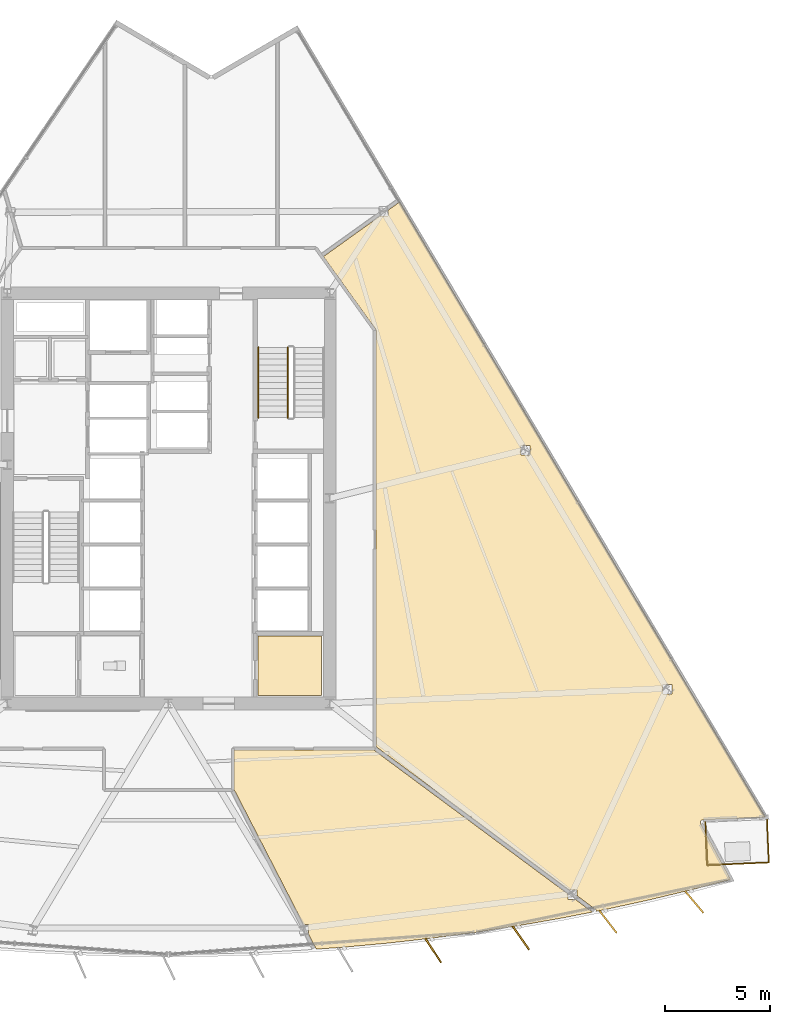
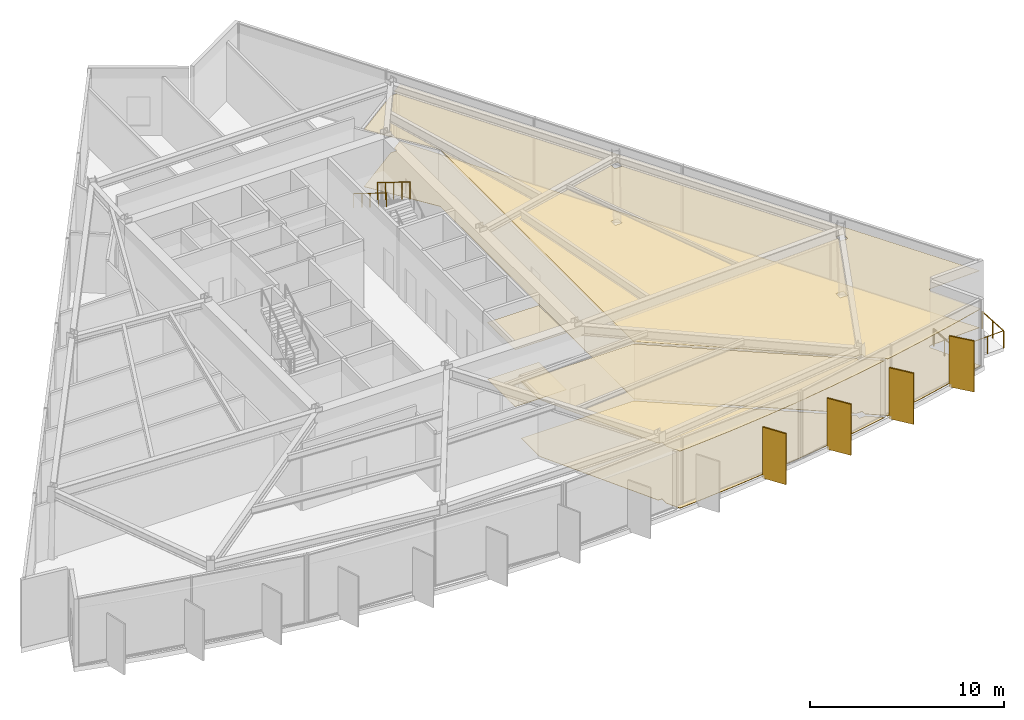
# One storey, part 12 of 14: 6 coverings, 5 railings, 4 shading devices.
"""IFC4 building model written with IfcOpenShell, lengths in metres."""

from ifc_helpers import new_model, si_unit, direction, frame, origin, origin_2d, place, context, subcontext, project, spatial, polyline, rectangle, circle, outline, extrude, material, layer, layer_set, type_object, element, save


model = new_model("IFC4")

# Units and contexts
model_context = context("Model", 3, precision=1e-05, world=origin(), true_north=direction((0.0, 1.0)))
body_context = subcontext(model_context, "Body", "Model", "MODEL_VIEW")
ifc_project = project(units=[si_unit("LENGTHUNIT", "METRE"), si_unit("AREAUNIT", "SQUARE_METRE"), si_unit("VOLUMEUNIT", "CUBIC_METRE"), si_unit("PLANEANGLEUNIT", "RADIAN"), si_unit("MASSUNIT", "GRAM", prefix="KILO")], contexts=[model_context])

# Site, building, storey
site_placement = place(None, origin())
site = spatial("IfcSite", under=ifc_project, at=site_placement, CompositionType="ELEMENT")
building_placement = place(site_placement, origin())
building = spatial("IfcBuilding", under=site, at=building_placement, Name="Savorim Split Tower", CompositionType="ELEMENT")
storey_placement = place(building_placement, frame((0.0, 0.0, 78.0)))
storey = spatial("IfcBuildingStorey", under=building, at=storey_placement, Name="L20", CompositionType="ELEMENT", Elevation=78.0)

# Coverings
ifc_material_1 = material(Name="Mineral Fibre Acoustic Ceiling")
ifc_layer_1 = layer(ifc_material_1, 0.02490234375)
ifc_layer_set_1 = layer_set([ifc_layer_1], Name="COV-CEIL-25")
covering_type_1 = type_object("IfcCoveringType", Name="COV-CEIL-25", PredefinedType="CEILING", material=ifc_layer_set_1)
covering_1_placement = place(storey_placement, frame((0.0, 0.0, 3.570068359375)))
element("IfcCovering", 1, at=covering_1_placement, inside=storey, type_object=covering_type_1, Name="L20 Core IT Server Room Acoustic Ceiling", PredefinedType="CEILING", context=body_context, shape_type="SweptSolid", body=[
    extrude(outline(polyline([(4.280029296875, -6.179931640625), (4.280029296875, -9.02001953125), (7.320068359375, -9.02001953125), (7.320068359375, -6.179931640625), (4.280029296875, -6.179931640625)])), origin(), (0.0, 0.0, 1.0), 0.02490234375),
])
covering_2_placement = place(storey_placement, frame((0.0, 0.0, 3.570068359375)))
element("IfcCovering", 2, at=covering_2_placement, inside=storey, type_object=covering_type_1, Name="L20 Co-Working Commons Acoustic Ceiling", PredefinedType="CEILING", context=body_context, shape_type="SweptSolid", body=[
    extrude(outline(polyline([(12.58056640625, -20.607421875), (14.6640625, -20.32861328125), (16.7412109375, -20.00732421875), (18.8115234375, -19.6435546875), (20.251953125, -19.360107421875), (19.447021484375, -18.762939453125), (19.091796875, -18.762939453125), (19.091796875, -18.49951171875), (9.837890625, -11.636474609375), (9.81103515625, -11.616455078125), (9.807373046875, -11.6171875), (9.793701171875, -11.619384765625), (9.780029296875, -11.6201171875), (3.139892578125, -11.6201171875), (3.139892578125, -13.449951171875), (3.139404296875, -13.463623046875), (3.13720703125, -13.477294921875), (3.134033203125, -13.490478515625), (3.13232421875, -13.4951171875), (6.462890625, -19.9658203125), (6.68505859375, -19.9658203125), (6.68505859375, -20.397705078125), (7.02001953125, -21.048095703125), (7.0634765625, -21.1328125), (7.0634765625, -21.1328125), (8.398681640625, -21.036865234375), (10.49169921875, -20.843505859375), (12.58056640625, -20.607421875)])), origin(), (0.0, 0.0, 1.0), 0.02490234375),
])
covering_3_placement = place(storey_placement, frame((0.0, 0.0, 3.570068359375)))
element("IfcCovering", 3, at=covering_3_placement, inside=storey, type_object=covering_type_1, Name="L20 Co-Working Commons Acoustic Ceiling", PredefinedType="CEILING", context=body_context, shape_type="SweptSolid", body=[
    extrude(outline(polyline([(25.5009765625, -14.956298828125), (25.51220703125, -14.9541015625), (25.523681640625, -14.952880859375), (28.506591796875, -14.826171875), (11.038818359375, 14.550048828125), (10.48681640625, 14.154296875), (10.48681640625, 13.89501953125), (10.124755859375, 13.89501953125), (7.4091796875, 11.94921875), (9.893798828125, 8.4814453125), (9.901611328125, 8.46923828125), (9.908203125, 8.456298828125), (9.913330078125, 8.44287109375), (9.9169921875, 8.4287109375), (9.919189453125, 8.41455078125), (9.919921875, 8.39990234375), (9.919921875, -11.460693359375), (19.166015625, -18.31787109375), (19.52099609375, -18.31787109375), (19.52099609375, -18.581298828125), (20.38037109375, -19.218505859375), (20.45654296875, -19.275146484375), (20.41796875, -19.327392578125), (20.873779296875, -19.237548828125), (22.927490234375, -18.789306640625), (24.9716796875, -18.29931640625), (26.85888671875, -17.8056640625), (25.423095703125, -15.129638671875), (25.418212890625, -15.119140625), (25.414306640625, -15.1083984375), (25.411376953125, -15.09716796875), (25.409423828125, -15.085693359375), (25.40869140625, -15.07421875), (25.4091796875, -15.062744140625), (25.410888671875, -15.05126953125), (25.413330078125, -15.0400390625), (25.4169921875, -15.029052734375), (25.421875, -15.0185546875), (25.427490234375, -15.008544921875), (25.43408203125, -14.9990234375), (25.441650390625, -14.990478515625), (25.449951171875, -14.982421875), (25.458984375, -14.97509765625), (25.46875, -14.968994140625), (25.47900390625, -14.963623046875), (25.48974609375, -14.95947265625), (25.5009765625, -14.956298828125)]), holes=[polyline([(24.06396484375, -8.938232421875), (24.06396484375, -8.493408203125), (23.635009765625, -8.493408203125), (23.635009765625, -8.938232421875), (24.06396484375, -8.938232421875)]), polyline([(17.275390625, 2.478515625), (17.275390625, 2.92333984375), (16.846435546875, 2.92333984375), (16.846435546875, 2.478515625), (17.275390625, 2.478515625)])]), origin(), (0.0, 0.0, 1.0), 0.02490234375),
])
ifc_material_2 = material(Name="Porcelain Stoneware Flooring", Category="masonry")
ifc_layer_2 = layer(ifc_material_2, 0.02001953125)
ifc_layer_set_2 = layer_set([ifc_layer_2], Name="COV-FLOR-20")
covering_type_2 = type_object("IfcCoveringType", Name="COV-FLOR-20", PredefinedType="FLOORING", material=ifc_layer_set_2)
covering_4_placement = place(storey_placement, origin())
element("IfcCovering", 4, at=covering_4_placement, inside=storey, type_object=covering_type_2, Name="L20 Core IT Server Room Porcelain Flooring", PredefinedType="FLOORING", context=body_context, shape_type="SweptSolid", body=[
    extrude(outline(polyline([(4.280029296875, -6.179931640625), (4.280029296875, -9.02001953125), (7.320068359375, -9.02001953125), (7.320068359375, -6.179931640625), (4.280029296875, -6.179931640625)])), origin(), (0.0, 0.0, 1.0), 0.02001953125),
])
covering_5_placement = place(storey_placement, origin())
element("IfcCovering", 5, at=covering_5_placement, inside=storey, type_object=covering_type_2, Name="L20 Co-Working Commons Porcelain Flooring", PredefinedType="FLOORING", context=body_context, shape_type="SweptSolid", body=[
    extrude(outline(polyline([(12.58056640625, -20.607421875), (14.6640625, -20.32861328125), (16.7412109375, -20.00732421875), (18.8115234375, -19.6435546875), (20.251953125, -19.360107421875), (19.447021484375, -18.762939453125), (19.091796875, -18.762939453125), (19.091796875, -18.49951171875), (9.837890625, -11.636474609375), (9.81103515625, -11.616455078125), (9.807373046875, -11.6171875), (9.793701171875, -11.619384765625), (9.780029296875, -11.6201171875), (3.139892578125, -11.6201171875), (3.139892578125, -13.449951171875), (3.139404296875, -13.463623046875), (3.13720703125, -13.477294921875), (3.134033203125, -13.490478515625), (3.13232421875, -13.4951171875), (6.462890625, -19.9658203125), (6.68505859375, -19.9658203125), (6.68505859375, -20.397705078125), (7.02001953125, -21.048095703125), (7.0634765625, -21.1328125), (7.0634765625, -21.1328125), (8.398681640625, -21.036865234375), (10.49169921875, -20.843505859375), (12.58056640625, -20.607421875)])), origin(), (0.0, 0.0, 1.0), 0.02001953125),
])
covering_6_placement = place(storey_placement, origin())
element("IfcCovering", 6, at=covering_6_placement, inside=storey, type_object=covering_type_2, Name="L20 Co-Working Commons Porcelain Flooring", PredefinedType="FLOORING", context=body_context, shape_type="SweptSolid", body=[
    extrude(outline(polyline([(25.5009765625, -14.956298828125), (25.51220703125, -14.9541015625), (25.523681640625, -14.952880859375), (28.506591796875, -14.826171875), (11.038818359375, 14.550048828125), (10.48681640625, 14.154296875), (10.48681640625, 13.89501953125), (10.124755859375, 13.89501953125), (7.4091796875, 11.94921875), (9.893798828125, 8.4814453125), (9.901611328125, 8.46923828125), (9.908203125, 8.456298828125), (9.913330078125, 8.44287109375), (9.9169921875, 8.4287109375), (9.919189453125, 8.41455078125), (9.919921875, 8.39990234375), (9.919921875, -11.460693359375), (19.166015625, -18.31787109375), (19.52099609375, -18.31787109375), (19.52099609375, -18.581298828125), (20.38037109375, -19.218505859375), (20.45654296875, -19.275146484375), (20.41796875, -19.327392578125), (20.873779296875, -19.237548828125), (22.927490234375, -18.789306640625), (24.9716796875, -18.29931640625), (26.85888671875, -17.8056640625), (25.423095703125, -15.129638671875), (25.418212890625, -15.119140625), (25.414306640625, -15.1083984375), (25.411376953125, -15.09716796875), (25.409423828125, -15.085693359375), (25.40869140625, -15.07421875), (25.4091796875, -15.062744140625), (25.410888671875, -15.05126953125), (25.413330078125, -15.0400390625), (25.4169921875, -15.029052734375), (25.421875, -15.0185546875), (25.427490234375, -15.008544921875), (25.43408203125, -14.9990234375), (25.441650390625, -14.990478515625), (25.449951171875, -14.982421875), (25.458984375, -14.97509765625), (25.46875, -14.968994140625), (25.47900390625, -14.963623046875), (25.48974609375, -14.95947265625), (25.5009765625, -14.956298828125)]), holes=[polyline([(24.06396484375, -8.938232421875), (24.06396484375, -8.493408203125), (23.635009765625, -8.493408203125), (23.635009765625, -8.938232421875), (24.06396484375, -8.938232421875)]), polyline([(17.275390625, 2.478515625), (17.275390625, 2.92333984375), (16.846435546875, 2.92333984375), (16.846435546875, 2.478515625), (17.275390625, 2.478515625)])]), origin(), (0.0, 0.0, 1.0), 0.02001953125),
])

# Railings
ifc_material_3 = material(Name="Galvanised Painted Steel Balustrade", Category="steel")
railing_type_1 = type_object("IfcRailingType", Name="RLG-BAL-1100", PredefinedType="BALUSTRADE", material=ifc_material_3)
railing_1_placement = place(storey_placement, frame((28.592529296875, -14.9423828125, 0.0)))
element("IfcRailing", 7, at=railing_1_placement, inside=storey, type_object=railing_type_1, Name="L20 Tree Balcony Guardrail SE-1", PredefinedType="BALUSTRADE", context=body_context, shape_type="SweptSolid", body=[
    extrude(circle(Radius=0.02392578125, at=origin_2d()), frame((0.0, 0.0, 1.076171875), z_axis=(0.042517246, -0.999095733047, 0.0), x_axis=(0.999095733047, 0.042517246, 0.0)), (0.0, 0.0, 1.0), 2.050048828125),
    extrude(circle(Radius=0.02099609375, at=origin_2d()), origin(), (0.0, 0.0, 1.0), 1.052001953125),
    extrude(circle(Radius=0.02099609375, at=origin_2d()), frame((0.04345703125, -1.02392578125, 0.0)), (0.0, 0.0, 1.0), 1.052001953125),
    extrude(circle(Radius=0.02099609375, at=origin_2d()), frame((0.087158203125, -2.048095703125, 0.0)), (0.0, 0.0, 1.0), 1.052001953125),
])
railing_2_placement = place(storey_placement, frame((28.6796875, -16.990478515625, 0.0)))
element("IfcRailing", 8, at=railing_2_placement, inside=storey, type_object=railing_type_1, Name="L20 Tree Balcony Guardrail SE-2", PredefinedType="BALUSTRADE", context=body_context, shape_type="SweptSolid", body=[
    extrude(circle(Radius=0.02392578125, at=origin_2d()), frame((0.0, 0.0, 1.076171875), z_axis=(-0.999092692893, -0.042588625323, 0.0), x_axis=(0.042588625323, -0.999092692893, 0.0)), (0.0, 0.0, 1.0), 2.946533203125),
    extrude(circle(Radius=0.02099609375, at=origin_2d()), origin(), (0.0, 0.0, 1.0), 1.052001953125),
    extrude(circle(Radius=0.02099609375, at=origin_2d()), frame((-0.981201171875, -0.041748046875, 0.0)), (0.0, 0.0, 1.0), 1.052001953125),
    extrude(circle(Radius=0.02099609375, at=origin_2d()), frame((-1.962646484375, -0.083740234375, 0.0)), (0.0, 0.0, 1.0), 1.052001953125),
    extrude(circle(Radius=0.02099609375, at=origin_2d()), frame((-2.94384765625, -0.12548828125, 0.0)), (0.0, 0.0, 1.0), 1.052001953125),
])
railing_3_placement = place(storey_placement, frame((25.73583984375, -17.115966796875, 0.0)))
element("IfcRailing", 9, at=railing_3_placement, inside=storey, type_object=railing_type_1, Name="L20 Tree Balcony Guardrail SE-3", PredefinedType="BALUSTRADE", context=body_context, shape_type="SweptSolid", body=[
    extrude(circle(Radius=0.02392578125, at=origin_2d()), frame((0.0, 0.0, 1.076171875), z_axis=(-0.042517246, 0.999095733047, 0.0), x_axis=(-0.999095733047, -0.042517246, 0.0)), (0.0, 0.0, 1.0), 2.050048828125),
    extrude(circle(Radius=0.02099609375, at=origin_2d()), origin(), (0.0, 0.0, 1.0), 1.052001953125),
    extrude(circle(Radius=0.02099609375, at=origin_2d()), frame((-0.04345703125, 1.02392578125, 0.0)), (0.0, 0.0, 1.0), 1.052001953125),
    extrude(circle(Radius=0.02099609375, at=origin_2d()), frame((-0.087158203125, 2.048095703125, 0.0)), (0.0, 0.0, 1.0), 1.052001953125),
])
railing_type_2 = type_object("IfcRailingType", Name="RLG-HR-900", PredefinedType="HANDRAIL", material=ifc_material_3)
railing_4_placement = place(storey_placement, frame((4.300048828125, 7.610107421875, 2.423095703125)))
element("IfcRailing", 10, at=railing_4_placement, inside=storey, type_object=railing_type_2, Name="L20 ST-2 stair handrail 2", PredefinedType="HANDRAIL", context=body_context, shape_type="SweptSolid", body=[
    extrude(circle(Radius=0.02392578125, at=origin_2d()), frame((0.0, 0.0, 0.8759765625), z_axis=(0.0, -0.850623216509, 0.525775754039), x_axis=(1.0, 0.0, 0.0)), (0.0, 0.0, 1.0), 3.9501953125),
    extrude(circle(Radius=0.02099609375, at=origin_2d()), origin(), (0.0, 0.0, 1.0), 0.851806640625),
    extrude(circle(Radius=0.02099609375, at=origin_2d()), frame((0.0, -0.840087890625, 0.519287109375)), (0.0, 0.0, 1.0), 0.851806640625),
    extrude(circle(Radius=0.02099609375, at=origin_2d()), frame((0.0, -1.68017578125, 1.03857421875)), (0.0, 0.0, 1.0), 0.851806640625),
    extrude(circle(Radius=0.02099609375, at=origin_2d()), frame((0.0, -2.52001953125, 1.5576171875)), (0.0, 0.0, 1.0), 0.851806640625),
    extrude(circle(Radius=0.02099609375, at=origin_2d()), frame((0.0, -3.360107421875, 2.076904296875)), (0.0, 0.0, 1.0), 0.851806640625),
])
railing_type_3 = type_object("IfcRailingType", Name="RLG-STG-1100", PredefinedType="BALUSTRADE", material=ifc_material_3)
railing_5_placement = place(storey_placement, frame((5.699951171875, 7.610107421875, 2.423095703125)))
element("IfcRailing", 11, at=railing_5_placement, inside=storey, type_object=railing_type_3, Name="L20 ST-2 stair guard 3", PredefinedType="BALUSTRADE", context=body_context, shape_type="SweptSolid", body=[
    extrude(circle(Radius=0.02392578125, at=origin_2d()), frame((0.0, 0.0, 1.076171875), z_axis=(0.0, -0.850623216509, 0.525775754039), x_axis=(1.0, 0.0, 0.0)), (0.0, 0.0, 1.0), 3.9501953125),
    extrude(circle(Radius=0.02099609375, at=origin_2d()), origin(), (0.0, 0.0, 1.0), 1.052001953125),
    extrude(circle(Radius=0.02099609375, at=origin_2d()), frame((0.0, -0.840087890625, 0.519287109375)), (0.0, 0.0, 1.0), 1.052001953125),
    extrude(circle(Radius=0.02099609375, at=origin_2d()), frame((0.0, -1.68017578125, 1.03857421875)), (0.0, 0.0, 1.0), 1.052001953125),
    extrude(circle(Radius=0.02099609375, at=origin_2d()), frame((0.0, -2.52001953125, 1.5576171875)), (0.0, 0.0, 1.0), 1.052001953125),
    extrude(circle(Radius=0.02099609375, at=origin_2d()), frame((0.0, -3.360107421875, 2.076904296875)), (0.0, 0.0, 1.0), 1.052001953125),
])

# Shading devices
ifc_material_4 = material(Name="Terracotta Ceramic-Coated Aluminium Fin", Category="masonry")
shading_device_type = type_object("IfcShadingDeviceType", Name="SHD-FIN-1360", PredefinedType="USERDEFINED", material=ifc_material_4)
for number, where, z_axis, x_axis, name in (
    (12, (12.653564453125, -21.198974609375, -0.2001953125), (0.0, 0.0, 1.0), (0.545148321708, -0.838339613366, 0.0), "L20 Sawtooth Shading Fin 10"),
    (13, (16.83837890625, -20.595458984375, -0.2001953125), (0.0, 0.0, 1.0), (0.578993757737, -0.815331974414, 0.0), "L20 Sawtooth Shading Fin 11"),
    (14, (20.9951171875, -19.821044921875, -0.2001953125), (0.0, 0.0, 1.0), (0.611868076908, -0.790959832394, 0.0), "L20 Sawtooth Shading Fin 12"),
    (15, (25.116455078125, -18.87744140625, -0.2001953125), (0.0, 0.0, 1.0), (0.643719022682, -0.765261928909, 0.0), "L20 Sawtooth Shading Fin 13"),
):
    element("IfcShadingDevice", number, at=place(storey_placement, frame(where, z_axis=z_axis, x_axis=x_axis)), inside=storey, type_object=shading_device_type, Name=name, ObjectType="FIN", PredefinedType="USERDEFINED", context=body_context, shape_type="SweptSolid", body=[
        extrude(rectangle(XDim=1.360107421875, YDim=0.080078125, at=origin_2d()), origin(), (0.0, 0.0, 1.0), 3.199951171875),
    ])

save(model, "model.ifc")
